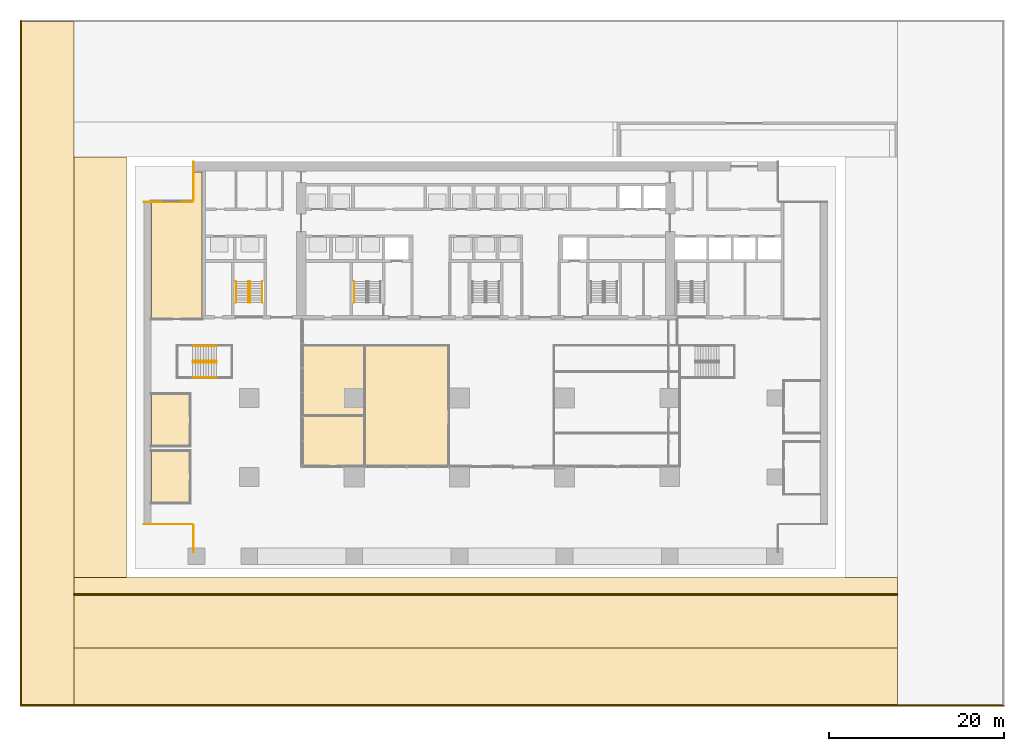
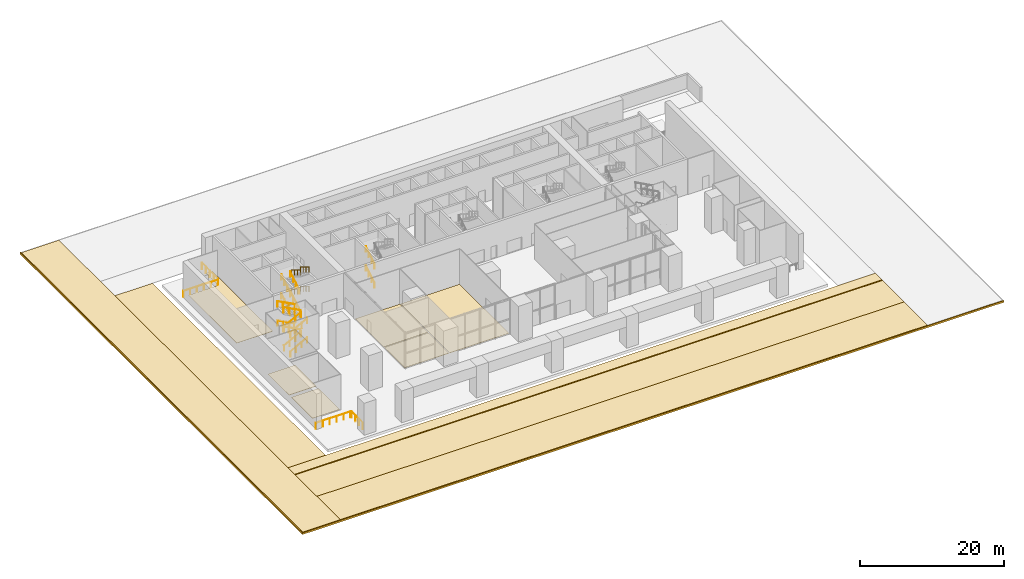
# One storey, part 13 of 16: 22 railings, 14 coverings, 3 elements without a shape of their own.
"""IFC4 building model written with IfcOpenShell, lengths in metres."""

from ifc_helpers import new_model, si_unit, direction, frame, origin, origin_2d, place, context, subcontext, project, spatial, polyline, circle, outline, extrude, material, layer, layer_set, type_object, element, aggregate, save


model = new_model("IFC4")

# Units and contexts
model_context = context("Model", 3, precision=1e-05, world=origin(), true_north=direction((0.0, 1.0)))
body_context = subcontext(model_context, "Body", "Model", "MODEL_VIEW")
ifc_project = project(units=[si_unit("LENGTHUNIT", "METRE"), si_unit("AREAUNIT", "SQUARE_METRE"), si_unit("VOLUMEUNIT", "CUBIC_METRE"), si_unit("PLANEANGLEUNIT", "RADIAN"), si_unit("MASSUNIT", "GRAM", prefix="KILO")], contexts=[model_context])

# Site, building, storey
site_placement = place(None, origin())
site = spatial("IfcSite", under=ifc_project, at=site_placement, CompositionType="ELEMENT")
building_placement = place(site_placement, origin())
building = spatial("IfcBuilding", under=site, at=building_placement, Name="Calvaro Tower", CompositionType="ELEMENT")
storey_placement = place(building_placement, origin())
storey = spatial("IfcBuildingStorey", under=building, at=storey_placement, Name="L00", CompositionType="ELEMENT", Elevation=0.0)

# Coverings
ifc_material_1 = material(Name="Asphalt")
ifc_layer_1 = layer(ifc_material_1, 0.06005859375)
ifc_layer_set_1 = layer_set([ifc_layer_1], Name="Asphalt")
covering_type_1 = type_object("IfcCoveringType", Name="Coloured asphalt paving 60", PredefinedType="USERDEFINED", material=ifc_layer_set_1)
covering_1_placement = place(storey_placement, frame((0.0, 0.0, -0.06005859375)))
element("IfcCovering", 1, at=covering_1_placement, inside=storey, type_object=covering_type_1, Name="Cycle track paving", ObjectType="PAVING", PredefinedType="USERDEFINED", context=body_context, shape_type="SweptSolid", body=[
    extrude(outline(polyline([(-8.0, -3.35009765625), (86.0, -3.35009765625), (86.0, -1.5), (-8.0, -1.5), (-8.0, -3.35009765625)])), origin(), (0.0, 0.0, 1.0), 0.06005859375),
])
ifc_material_2 = material(Name="Cement screed with carpet tile finish")
ifc_layer_2 = layer(ifc_material_2, 0.050048828125)
ifc_layer_set_2 = layer_set([ifc_layer_2], Name="Cement screed with carpet tile finish")
covering_type_2 = type_object("IfcCoveringType", Name="Floor finish 50", PredefinedType="FLOORING", material=ifc_layer_set_2)
covering_2_placement = place(storey_placement, origin())
element("IfcCovering", 2, at=covering_2_placement, inside=storey, type_object=covering_type_2, Name="Floor finish 03.04", PredefinedType="FLOORING", context=body_context, shape_type="SweptSolid", body=[
    extrude(outline(polyline([(5.22998046875, 12.929931640625), (5.22998046875, 7.070068359375), (0.8701171875, 7.070068359375), (0.8701171875, 12.929931640625), (5.22998046875, 12.929931640625)])), origin(), (0.0, 0.0, 1.0), 0.050048828125),
])
covering_3_placement = place(storey_placement, origin())
element("IfcCovering", 3, at=covering_3_placement, inside=storey, type_object=covering_type_2, Name="Floor finish 03.08", PredefinedType="FLOORING", context=body_context, shape_type="SweptSolid", body=[
    extrude(outline(polyline([(5.22998046875, 19.429931640625), (5.22998046875, 13.570068359375), (0.8701171875, 13.570068359375), (0.8701171875, 19.429931640625), (5.22998046875, 19.429931640625)])), origin(), (0.0, 0.0, 1.0), 0.050048828125),
])
covering_4_placement = place(storey_placement, origin())
element("IfcCovering", 4, at=covering_4_placement, inside=storey, type_object=covering_type_2, Name="Floor finish 03.10", PredefinedType="FLOORING", context=body_context, shape_type="SweptSolid", body=[
    extrude(outline(polyline([(25.27001953125, 11.27001953125), (25.27001953125, 24.929931640625), (34.72998046875, 24.929931640625), (34.72998046875, 11.27001953125), (25.27001953125, 11.27001953125)])), origin(), (0.0, 0.0, 1.0), 0.050048828125),
])
covering_5_placement = place(storey_placement, origin())
element("IfcCovering", 5, at=covering_5_placement, inside=storey, type_object=covering_type_2, Name="Floor finish 03.07", PredefinedType="FLOORING", context=body_context, shape_type="SweptSolid", body=[
    extrude(outline(polyline([(18.070068359375, 11.27001953125), (18.070068359375, 16.929931640625), (25.1298828125, 16.929931640625), (25.1298828125, 11.27001953125), (18.070068359375, 11.27001953125)])), origin(), (0.0, 0.0, 1.0), 0.050048828125),
])
covering_6_placement = place(storey_placement, origin())
element("IfcCovering", 6, at=covering_6_placement, inside=storey, type_object=covering_type_2, Name="Floor finish 03.12", PredefinedType="FLOORING", context=body_context, shape_type="SweptSolid", body=[
    extrude(outline(polyline([(18.070068359375, 17.070068359375), (18.070068359375, 24.929931640625), (25.1298828125, 24.929931640625), (25.1298828125, 17.070068359375), (18.070068359375, 17.070068359375)])), origin(), (0.0, 0.0, 1.0), 0.050048828125),
])
covering_7_placement = place(storey_placement, origin())
element("IfcCovering", 7, at=covering_7_placement, inside=storey, type_object=covering_type_2, Name="Floor finish 03.17", PredefinedType="FLOORING", context=body_context, shape_type="SweptSolid", body=[
    extrude(outline(polyline([(6.6298828125, 28.070068359375), (0.8701171875, 28.070068359375), (0.8701171875, 41.429931640625), (5.6201171875, 41.429931640625), (5.6201171875, 44.830078125), (6.6298828125, 44.830078125), (6.6298828125, 28.070068359375)])), origin(), (0.0, 0.0, 1.0), 0.050048828125),
])
ifc_material_3 = material(Name="Granite", Category="masonry")
ifc_layer_3 = layer(ifc_material_3, 0.300048828125)
ifc_layer_set_3 = layer_set([ifc_layer_3], Name="Granite")
covering_type_3 = type_object("IfcCoveringType", Name="Granite edge course 150", PredefinedType="USERDEFINED", material=ifc_layer_set_3)
covering_8_placement = place(storey_placement, frame((0.0, 0.0, -0.300048828125)))
element("IfcCovering", 8, at=covering_8_placement, inside=storey, type_object=covering_type_3, Name="Granite edge course", ObjectType="PAVING", PredefinedType="USERDEFINED", context=body_context, shape_type="SweptSolid", body=[
    extrude(outline(polyline([(-14.14990234375, -16.14990234375), (98.14990234375, -16.14990234375), (98.14990234375, -16.0), (-14.14990234375, -16.0), (-14.14990234375, -16.14990234375)])), origin(), (0.0, 0.0, 1.0), 0.300048828125),
])
covering_9_placement = place(storey_placement, frame((0.0, 0.0, -0.300048828125)))
element("IfcCovering", 9, at=covering_9_placement, inside=storey, type_object=covering_type_3, Name="Granite edge course", ObjectType="PAVING", PredefinedType="USERDEFINED", context=body_context, shape_type="SweptSolid", body=[
    extrude(outline(polyline([(-14.14990234375, -16.0), (-14.0, -16.0), (-14.0, 62.14990234375), (-14.14990234375, 62.14990234375), (-14.14990234375, -16.0)])), origin(), (0.0, 0.0, 1.0), 0.300048828125),
])
covering_10_placement = place(storey_placement, frame((0.0, 0.0, -0.300048828125)))
element("IfcCovering", 10, at=covering_10_placement, inside=storey, type_object=covering_type_3, Name="Granite edge course", ObjectType="PAVING", PredefinedType="USERDEFINED", context=body_context, shape_type="SweptSolid", body=[
    extrude(outline(polyline([(-8.0, -3.5), (86.0, -3.5), (86.0, -3.35009765625), (-8.0, -3.35009765625), (-8.0, -3.5)])), origin(), (0.0, 0.0, 1.0), 0.300048828125),
])
ifc_material_4 = material(Name="Granite", Category="masonry")
ifc_layer_4 = layer(ifc_material_4, 0.14990234375)
ifc_layer_set_4 = layer_set([ifc_layer_4], Name="Granite")
covering_type_4 = type_object("IfcCoveringType", Name="Granite setts paving 150", PredefinedType="USERDEFINED", material=ifc_layer_set_4)
covering_11_placement = place(storey_placement, frame((0.0, 0.0, -0.14990234375)))
element("IfcCovering", 11, at=covering_11_placement, inside=storey, type_object=covering_type_4, Name="Forecourt paving", ObjectType="PAVING", PredefinedType="USERDEFINED", context=body_context, shape_type="SweptSolid", body=[
    extrude(outline(polyline([(-8.0, -9.5), (86.0, -9.5), (86.0, -3.5), (-8.0, -3.5), (-8.0, -9.5)])), origin(), (0.0, 0.0, 1.0), 0.14990234375),
])
covering_12_placement = place(storey_placement, frame((0.0, 0.0, -0.14990234375)))
element("IfcCovering", 12, at=covering_12_placement, inside=storey, type_object=covering_type_4, Name="Forecourt apron paving", ObjectType="PAVING", PredefinedType="USERDEFINED", context=body_context, shape_type="SweptSolid", body=[
    extrude(outline(polyline([(-8.0, -16.0), (86.0, -16.0), (86.0, -9.5), (-8.0, -9.5), (-8.0, -16.0)])), origin(), (0.0, 0.0, 1.0), 0.14990234375),
])

# Railings
ifc_material_5 = material(Name="Stainless steel", Category="steel")
railing_type_1 = type_object("IfcRailingType", Name="Guard 1100", PredefinedType="GUARDRAIL", material=ifc_material_5)
railing_1_placement = place(storey_placement, frame((5.64990234375, 1.39990234375, 0.0)))
element("IfcRailing", 13, at=railing_1_placement, inside=storey, type_object=railing_type_1, Name="Edge guard", PredefinedType="GUARDRAIL", context=body_context, shape_type="SweptSolid", body=[
    extrude(circle(Radius=0.02392578125, at=origin_2d()), frame((0.0, 0.0, 1.076171875), z_axis=(0.0, 1.0, 0.0), x_axis=(-1.0, 0.0, 0.0)), (0.0, 0.0, 1.0), 3.10009765625),
    extrude(circle(Radius=0.02099609375, at=origin_2d()), frame((0.0, 0.02099609375, 0.0)), (0.0, 0.0, 1.0), 1.052001953125),
    extrude(circle(Radius=0.02099609375, at=origin_2d()), frame((0.0, 1.033447265625, 0.0)), (0.0, 0.0, 1.0), 1.052001953125),
    extrude(circle(Radius=0.02099609375, at=origin_2d()), frame((0.0, 2.066650390625, 0.0)), (0.0, 0.0, 1.0), 1.052001953125),
    extrude(circle(Radius=0.02099609375, at=origin_2d()), frame((0.0, 3.0791015625, 0.0)), (0.0, 0.0, 1.0), 1.052001953125),
])
railing_2_placement = place(storey_placement, frame((5.550048828125, 4.60009765625, 0.0)))
element("IfcRailing", 14, at=railing_2_placement, inside=storey, type_object=railing_type_1, Name="Edge guard", PredefinedType="GUARDRAIL", context=body_context, shape_type="SweptSolid", body=[
    extrude(circle(Radius=0.02392578125, at=origin_2d()), frame((0.0, 0.0, 1.076171875), z_axis=(-1.0, 0.0, 0.0), x_axis=(0.0, -1.0, 0.0)), (0.0, 0.0, 1.0), 5.550048828125),
    extrude(circle(Radius=0.02099609375, at=origin_2d()), frame((-0.02099609375, 0.0, 0.0)), (0.0, 0.0, 1.0), 1.052001953125),
    extrude(circle(Radius=0.02099609375, at=origin_2d()), frame((-1.110107421875, 0.0, 0.0)), (0.0, 0.0, 1.0), 1.052001953125),
    extrude(circle(Radius=0.02099609375, at=origin_2d()), frame((-2.219970703125, 0.0, 0.0)), (0.0, 0.0, 1.0), 1.052001953125),
    extrude(circle(Radius=0.02099609375, at=origin_2d()), frame((-3.330078125, 0.0, 0.0)), (0.0, 0.0, 1.0), 1.052001953125),
    extrude(circle(Radius=0.02099609375, at=origin_2d()), frame((-4.43994140625, 0.0, 0.0)), (0.0, 0.0, 1.0), 1.052001953125),
    extrude(circle(Radius=0.02099609375, at=origin_2d()), frame((-5.529052734375, 0.0, 0.0)), (0.0, 0.0, 1.0), 1.052001953125),
])
railing_3_placement = place(storey_placement, frame((0.0, 41.39990234375, 0.0)))
element("IfcRailing", 15, at=railing_3_placement, inside=storey, type_object=railing_type_1, Name="Edge guard", PredefinedType="GUARDRAIL", context=body_context, shape_type="SweptSolid", body=[
    extrude(circle(Radius=0.02392578125, at=origin_2d()), frame((0.0, 0.0, 1.076171875), z_axis=(1.0, 0.0, 0.0), x_axis=(0.0, 1.0, 0.0)), (0.0, 0.0, 1.0), 5.550048828125),
    extrude(circle(Radius=0.02099609375, at=origin_2d()), frame((0.02099609375, 0.0, 0.0)), (0.0, 0.0, 1.0), 1.052001953125),
    extrude(circle(Radius=0.02099609375, at=origin_2d()), frame((1.110107421875, 0.0, 0.0)), (0.0, 0.0, 1.0), 1.052001953125),
    extrude(circle(Radius=0.02099609375, at=origin_2d()), frame((2.219970703125, 0.0, 0.0)), (0.0, 0.0, 1.0), 1.052001953125),
    extrude(circle(Radius=0.02099609375, at=origin_2d()), frame((3.330078125, 0.0, 0.0)), (0.0, 0.0, 1.0), 1.052001953125),
    extrude(circle(Radius=0.02099609375, at=origin_2d()), frame((4.43994140625, 0.0, 0.0)), (0.0, 0.0, 1.0), 1.052001953125),
    extrude(circle(Radius=0.02099609375, at=origin_2d()), frame((5.529052734375, 0.0, 0.0)), (0.0, 0.0, 1.0), 1.052001953125),
])
railing_4_placement = place(storey_placement, frame((5.64990234375, 41.5, 0.0)))
element("IfcRailing", 16, at=railing_4_placement, inside=storey, type_object=railing_type_1, Name="Edge guard", PredefinedType="GUARDRAIL", context=body_context, shape_type="SweptSolid", body=[
    extrude(circle(Radius=0.02392578125, at=origin_2d()), frame((0.0, 0.0, 1.076171875), z_axis=(0.0, 1.0, 0.0), x_axis=(-1.0, 0.0, 0.0)), (0.0, 0.0, 1.0), 4.5),
    extrude(circle(Radius=0.02099609375, at=origin_2d()), frame((0.0, 0.02099609375, 0.0)), (0.0, 0.0, 1.0), 1.052001953125),
    extrude(circle(Radius=0.02099609375, at=origin_2d()), frame((0.0, 1.125, 0.0)), (0.0, 0.0, 1.0), 1.052001953125),
    extrude(circle(Radius=0.02099609375, at=origin_2d()), frame((0.0, 2.25, 0.0)), (0.0, 0.0, 1.0), 1.052001953125),
    extrude(circle(Radius=0.02099609375, at=origin_2d()), frame((0.0, 3.375, 0.0)), (0.0, 0.0, 1.0), 1.052001953125),
    extrude(circle(Radius=0.02099609375, at=origin_2d()), frame((0.0, 4.47900390625, 0.0)), (0.0, 0.0, 1.0), 1.052001953125),
])

# Coverings
ifc_material_6 = material(Name="Concrete C40/50 precast", Category="concrete")
ifc_layer_5 = layer(ifc_material_6, 0.10009765625)
ifc_layer_set_5 = layer_set([ifc_layer_5], Name="Concrete C40/50 precast")
covering_type_5 = type_object("IfcCoveringType", Name="Precast concrete flag paving 100", PredefinedType="USERDEFINED", material=ifc_layer_set_5)
covering_13_placement = place(storey_placement, frame((0.0, 0.0, -0.10009765625)))
element("IfcCovering", 17, at=covering_13_placement, inside=storey, type_object=covering_type_5, Name="West lane paving", ObjectType="PAVING", PredefinedType="USERDEFINED", context=body_context, shape_type="SweptSolid", body=[
    extrude(outline(polyline([(-8.0, -1.5), (-2.0, -1.5), (-2.0, 46.5), (-8.0, 46.5), (-8.0, -1.5)])), origin(), (0.0, 0.0, 1.0), 0.10009765625),
])
covering_14_placement = place(storey_placement, frame((0.0, 0.0, -0.10009765625)))
element("IfcCovering", 18, at=covering_14_placement, inside=storey, type_object=covering_type_5, Name="West apron paving", ObjectType="PAVING", PredefinedType="USERDEFINED", context=body_context, shape_type="SweptSolid", body=[
    extrude(outline(polyline([(-14.0, -16.0), (-8.0, -16.0), (-8.0, 62.0), (-14.0, 62.0), (-14.0, -16.0)])), origin(), (0.0, 0.0, 1.0), 0.10009765625),
])

# Stair, railings
ifc_material_7 = material(Name="Concrete C40/50", Category="concrete")
stair_type_1 = type_object("IfcStairType", Name="Exit stair 1400 4 flights", PredefinedType="DOUBLE_RETURN_STAIR", material=ifc_material_7)
stair_1_placement = place(storey_placement, origin())
stair_1 = element("IfcStair", 19, at=stair_1_placement, inside=storey, type_object=stair_type_1, Name="Exit stair S1", PredefinedType="DOUBLE_RETURN_STAIR")
ifc_material_8 = material(Name="Stainless steel", Category="steel")
railing_type_2 = type_object("IfcRailingType", Name="Stair handrail", PredefinedType="HANDRAIL", material=ifc_material_8)
railing_5_placement = place(storey_placement, frame((11.89990234375, 29.89990234375, 0.16259765625)))
railing_5 = element("IfcRailing", 20, at=railing_5_placement, type_object=railing_type_2, Name="Exit stair 1 handrail", PredefinedType="HANDRAIL", context=body_context, shape_type="SweptSolid", body=[
    extrude(circle(Radius=0.02392578125, at=origin_2d()), frame((0.0, 0.0, 0.8759765625), z_axis=(0.0, 0.856823829133, 0.515609276322), x_axis=(-1.0, 0.0, 0.0)), (0.0, 0.0, 1.0), 2.836181640625),
    extrude(circle(Radius=0.02099609375, at=origin_2d()), frame((0.0, 0.01806640625, 0.0107421875)), (0.0, 0.0, 1.0), 0.851806640625),
    extrude(circle(Radius=0.02099609375, at=origin_2d()), frame((0.0, 0.81005859375, 0.487548828125)), (0.0, 0.0, 1.0), 0.851806640625),
    extrude(circle(Radius=0.02099609375, at=origin_2d()), frame((0.0, 1.6201171875, 0.974853515625)), (0.0, 0.0, 1.0), 0.851806640625),
    extrude(circle(Radius=0.02099609375, at=origin_2d()), frame((0.0, 2.412109375, 1.45166015625)), (0.0, 0.0, 1.0), 0.851806640625),
])
railing_6_placement = place(storey_placement, frame((10.5, 29.89990234375, 0.16259765625)))
railing_6 = element("IfcRailing", 21, at=railing_6_placement, type_object=railing_type_2, Name="Exit stair 1 handrail", PredefinedType="HANDRAIL", context=body_context, shape_type="SweptSolid", body=[
    extrude(circle(Radius=0.02392578125, at=origin_2d()), frame((0.0, 0.0, 0.8759765625), z_axis=(0.0, 0.856823829133, 0.515609276322), x_axis=(-1.0, 0.0, 0.0)), (0.0, 0.0, 1.0), 2.836181640625),
    extrude(circle(Radius=0.02099609375, at=origin_2d()), frame((0.0, 0.01806640625, 0.0107421875)), (0.0, 0.0, 1.0), 0.851806640625),
    extrude(circle(Radius=0.02099609375, at=origin_2d()), frame((0.0, 0.81005859375, 0.487548828125)), (0.0, 0.0, 1.0), 0.851806640625),
    extrude(circle(Radius=0.02099609375, at=origin_2d()), frame((0.0, 1.6201171875, 0.974853515625)), (0.0, 0.0, 1.0), 0.851806640625),
    extrude(circle(Radius=0.02099609375, at=origin_2d()), frame((0.0, 2.412109375, 1.45166015625)), (0.0, 0.0, 1.0), 0.851806640625),
])
railing_7_placement = place(storey_placement, frame((12.10009765625, 32.330078125, 1.78759765625)))
railing_7 = element("IfcRailing", 22, at=railing_7_placement, type_object=railing_type_2, Name="Exit stair 1 handrail", PredefinedType="HANDRAIL", context=body_context, shape_type="SweptSolid", body=[
    extrude(circle(Radius=0.02392578125, at=origin_2d()), frame((0.0, 0.0, 0.8759765625), z_axis=(0.0, -0.856823829133, 0.515609276322), x_axis=(1.0, 0.0, 0.0)), (0.0, 0.0, 1.0), 2.836181640625),
    extrude(circle(Radius=0.02099609375, at=origin_2d()), frame((0.0, -0.01806640625, 0.0107421875)), (0.0, 0.0, 1.0), 0.851806640625),
    extrude(circle(Radius=0.02099609375, at=origin_2d()), frame((0.0, -0.81005859375, 0.487548828125)), (0.0, 0.0, 1.0), 0.851806640625),
    extrude(circle(Radius=0.02099609375, at=origin_2d()), frame((0.0, -1.6201171875, 0.974853515625)), (0.0, 0.0, 1.0), 0.851806640625),
    extrude(circle(Radius=0.02099609375, at=origin_2d()), frame((0.0, -2.412109375, 1.45166015625)), (0.0, 0.0, 1.0), 0.851806640625),
])
railing_8_placement = place(storey_placement, frame((13.5, 32.330078125, 1.78759765625)))
railing_8 = element("IfcRailing", 23, at=railing_8_placement, type_object=railing_type_2, Name="Exit stair 1 handrail", PredefinedType="HANDRAIL", context=body_context, shape_type="SweptSolid", body=[
    extrude(circle(Radius=0.02392578125, at=origin_2d()), frame((0.0, 0.0, 0.8759765625), z_axis=(0.0, -0.856823829133, 0.515609276322), x_axis=(1.0, 0.0, 0.0)), (0.0, 0.0, 1.0), 2.836181640625),
    extrude(circle(Radius=0.02099609375, at=origin_2d()), frame((0.0, -0.01806640625, 0.0107421875)), (0.0, 0.0, 1.0), 0.851806640625),
    extrude(circle(Radius=0.02099609375, at=origin_2d()), frame((0.0, -0.81005859375, 0.487548828125)), (0.0, 0.0, 1.0), 0.851806640625),
    extrude(circle(Radius=0.02099609375, at=origin_2d()), frame((0.0, -1.6201171875, 0.974853515625)), (0.0, 0.0, 1.0), 0.851806640625),
    extrude(circle(Radius=0.02099609375, at=origin_2d()), frame((0.0, -2.412109375, 1.45166015625)), (0.0, 0.0, 1.0), 0.851806640625),
])
railing_9_placement = place(storey_placement, frame((11.89990234375, 29.89990234375, 3.41259765625)))
railing_9 = element("IfcRailing", 24, at=railing_9_placement, type_object=railing_type_2, Name="Exit stair 1 handrail", PredefinedType="HANDRAIL", context=body_context, shape_type="SweptSolid", body=[
    extrude(circle(Radius=0.02392578125, at=origin_2d()), frame((0.0, 0.0, 0.8759765625), z_axis=(0.0, 0.856823829133, 0.515609276322), x_axis=(-1.0, 0.0, 0.0)), (0.0, 0.0, 1.0), 2.836181640625),
    extrude(circle(Radius=0.02099609375, at=origin_2d()), frame((0.0, 0.01806640625, 0.0107421875)), (0.0, 0.0, 1.0), 0.851806640625),
    extrude(circle(Radius=0.02099609375, at=origin_2d()), frame((0.0, 0.81005859375, 0.487548828125)), (0.0, 0.0, 1.0), 0.851806640625),
    extrude(circle(Radius=0.02099609375, at=origin_2d()), frame((0.0, 1.6201171875, 0.974853515625)), (0.0, 0.0, 1.0), 0.851806640625),
    extrude(circle(Radius=0.02099609375, at=origin_2d()), frame((0.0, 2.412109375, 1.45166015625)), (0.0, 0.0, 1.0), 0.851806640625),
])
railing_10_placement = place(storey_placement, frame((10.5, 29.89990234375, 3.41259765625)))
railing_10 = element("IfcRailing", 25, at=railing_10_placement, type_object=railing_type_2, Name="Exit stair 1 handrail", PredefinedType="HANDRAIL", context=body_context, shape_type="SweptSolid", body=[
    extrude(circle(Radius=0.02392578125, at=origin_2d()), frame((0.0, 0.0, 0.8759765625), z_axis=(0.0, 0.856823829133, 0.515609276322), x_axis=(-1.0, 0.0, 0.0)), (0.0, 0.0, 1.0), 2.836181640625),
    extrude(circle(Radius=0.02099609375, at=origin_2d()), frame((0.0, 0.01806640625, 0.0107421875)), (0.0, 0.0, 1.0), 0.851806640625),
    extrude(circle(Radius=0.02099609375, at=origin_2d()), frame((0.0, 0.81005859375, 0.487548828125)), (0.0, 0.0, 1.0), 0.851806640625),
    extrude(circle(Radius=0.02099609375, at=origin_2d()), frame((0.0, 1.6201171875, 0.974853515625)), (0.0, 0.0, 1.0), 0.851806640625),
    extrude(circle(Radius=0.02099609375, at=origin_2d()), frame((0.0, 2.412109375, 1.45166015625)), (0.0, 0.0, 1.0), 0.851806640625),
])
railing_11_placement = place(storey_placement, frame((12.10009765625, 32.330078125, 5.03759765625)))
railing_11 = element("IfcRailing", 26, at=railing_11_placement, type_object=railing_type_2, Name="Exit stair 1 handrail", PredefinedType="HANDRAIL", context=body_context, shape_type="SweptSolid", body=[
    extrude(circle(Radius=0.02392578125, at=origin_2d()), frame((0.0, 0.0, 0.8759765625), z_axis=(0.0, -0.856823829133, 0.515609276322), x_axis=(1.0, 0.0, 0.0)), (0.0, 0.0, 1.0), 2.836181640625),
    extrude(circle(Radius=0.02099609375, at=origin_2d()), frame((0.0, -0.01806640625, 0.0107421875)), (0.0, 0.0, 1.0), 0.851806640625),
    extrude(circle(Radius=0.02099609375, at=origin_2d()), frame((0.0, -0.81005859375, 0.487548828125)), (0.0, 0.0, 1.0), 0.851806640625),
    extrude(circle(Radius=0.02099609375, at=origin_2d()), frame((0.0, -1.6201171875, 0.974853515625)), (0.0, 0.0, 1.0), 0.851806640625),
    extrude(circle(Radius=0.02099609375, at=origin_2d()), frame((0.0, -2.412109375, 1.45166015625)), (0.0, 0.0, 1.0), 0.851806640625),
])
railing_12_placement = place(storey_placement, frame((13.5, 32.330078125, 5.03759765625)))
railing_12 = element("IfcRailing", 27, at=railing_12_placement, type_object=railing_type_2, Name="Exit stair 1 handrail", PredefinedType="HANDRAIL", context=body_context, shape_type="SweptSolid", body=[
    extrude(circle(Radius=0.02392578125, at=origin_2d()), frame((0.0, 0.0, 0.8759765625), z_axis=(0.0, -0.856823829133, 0.515609276322), x_axis=(1.0, 0.0, 0.0)), (0.0, 0.0, 1.0), 2.836181640625),
    extrude(circle(Radius=0.02099609375, at=origin_2d()), frame((0.0, -0.01806640625, 0.0107421875)), (0.0, 0.0, 1.0), 0.851806640625),
    extrude(circle(Radius=0.02099609375, at=origin_2d()), frame((0.0, -0.81005859375, 0.487548828125)), (0.0, 0.0, 1.0), 0.851806640625),
    extrude(circle(Radius=0.02099609375, at=origin_2d()), frame((0.0, -1.6201171875, 0.974853515625)), (0.0, 0.0, 1.0), 0.851806640625),
    extrude(circle(Radius=0.02099609375, at=origin_2d()), frame((0.0, -2.412109375, 1.45166015625)), (0.0, 0.0, 1.0), 0.851806640625),
])
aggregate(stair_1, [railing_5, railing_6, railing_7, railing_8, railing_9, railing_10, railing_11, railing_12])

stair_2_placement = place(storey_placement, origin())
stair_2 = element("IfcStair", 28, at=stair_2_placement, inside=storey, type_object=stair_type_1, Name="Exit stair S2", PredefinedType="DOUBLE_RETURN_STAIR")
railing_13_placement = place(storey_placement, frame((24.0, 29.89990234375, 0.16259765625)))
railing_13 = element("IfcRailing", 29, at=railing_13_placement, type_object=railing_type_2, Name="Exit stair 2 handrail", PredefinedType="HANDRAIL", context=body_context, shape_type="SweptSolid", body=[
    extrude(circle(Radius=0.02392578125, at=origin_2d()), frame((0.0, 0.0, 0.8759765625), z_axis=(0.0, 0.856823829133, 0.515609276322), x_axis=(-1.0, 0.0, 0.0)), (0.0, 0.0, 1.0), 2.836181640625),
    extrude(circle(Radius=0.02099609375, at=origin_2d()), frame((0.0, 0.01806640625, 0.0107421875)), (0.0, 0.0, 1.0), 0.851806640625),
    extrude(circle(Radius=0.02099609375, at=origin_2d()), frame((0.0, 0.81005859375, 0.487548828125)), (0.0, 0.0, 1.0), 0.851806640625),
    extrude(circle(Radius=0.02099609375, at=origin_2d()), frame((0.0, 1.6201171875, 0.974853515625)), (0.0, 0.0, 1.0), 0.851806640625),
    extrude(circle(Radius=0.02099609375, at=origin_2d()), frame((0.0, 2.412109375, 1.45166015625)), (0.0, 0.0, 1.0), 0.851806640625),
])
railing_14_placement = place(storey_placement, frame((24.0, 29.89990234375, 3.41259765625)))
railing_14 = element("IfcRailing", 30, at=railing_14_placement, type_object=railing_type_2, Name="Exit stair 2 handrail", PredefinedType="HANDRAIL", context=body_context, shape_type="SweptSolid", body=[
    extrude(circle(Radius=0.02392578125, at=origin_2d()), frame((0.0, 0.0, 0.8759765625), z_axis=(0.0, 0.856823829133, 0.515609276322), x_axis=(-1.0, 0.0, 0.0)), (0.0, 0.0, 1.0), 2.836181640625),
    extrude(circle(Radius=0.02099609375, at=origin_2d()), frame((0.0, 0.01806640625, 0.0107421875)), (0.0, 0.0, 1.0), 0.851806640625),
    extrude(circle(Radius=0.02099609375, at=origin_2d()), frame((0.0, 0.81005859375, 0.487548828125)), (0.0, 0.0, 1.0), 0.851806640625),
    extrude(circle(Radius=0.02099609375, at=origin_2d()), frame((0.0, 1.6201171875, 0.974853515625)), (0.0, 0.0, 1.0), 0.851806640625),
    extrude(circle(Radius=0.02099609375, at=origin_2d()), frame((0.0, 2.412109375, 1.45166015625)), (0.0, 0.0, 1.0), 0.851806640625),
])
aggregate(stair_2, [railing_13, railing_14])

ifc_material_9 = material(Name="Concrete C40/50", Category="concrete")
stair_type_2 = type_object("IfcStairType", Name="Exit stair 1700 4 flights", PredefinedType="DOUBLE_RETURN_STAIR", material=ifc_material_9)
stair_3_placement = place(storey_placement, origin())
stair_3 = element("IfcStair", 31, at=stair_3_placement, inside=storey, type_object=stair_type_2, Name="Exit stair 6", PredefinedType="DOUBLE_RETURN_STAIR")
railing_15_placement = place(storey_placement, frame((5.550048828125, 23.050048828125, 0.16259765625)))
railing_15 = element("IfcRailing", 32, at=railing_15_placement, type_object=railing_type_2, Name="Exit stair 6 handrail", PredefinedType="HANDRAIL", context=body_context, shape_type="SweptSolid", body=[
    extrude(circle(Radius=0.02392578125, at=origin_2d()), frame((0.0, 0.0, 0.8759765625), z_axis=(0.88255711678, 0.0, 0.470205205863), x_axis=(0.0, 1.0, 0.0)), (0.0, 0.0, 1.0), 3.110107421875),
    extrude(circle(Radius=0.02099609375, at=origin_2d()), frame((0.0185546875, 0.0, 0.009765625)), (0.0, 0.0, 1.0), 0.851806640625),
    extrude(circle(Radius=0.02099609375, at=origin_2d()), frame((0.9150390625, 0.0, 0.487548828125)), (0.0, 0.0, 1.0), 0.851806640625),
    extrude(circle(Radius=0.02099609375, at=origin_2d()), frame((1.829833984375, 0.0, 0.974853515625)), (0.0, 0.0, 1.0), 0.851806640625),
    extrude(circle(Radius=0.02099609375, at=origin_2d()), frame((2.726318359375, 0.0, 1.45263671875)), (0.0, 0.0, 1.0), 0.851806640625),
])
railing_16_placement = place(storey_placement, frame((5.550048828125, 21.35009765625, 0.16259765625)))
railing_16 = element("IfcRailing", 33, at=railing_16_placement, type_object=railing_type_2, Name="Exit stair 6 handrail", PredefinedType="HANDRAIL", context=body_context, shape_type="SweptSolid", body=[
    extrude(circle(Radius=0.02392578125, at=origin_2d()), frame((0.0, 0.0, 0.8759765625), z_axis=(0.88255711678, 0.0, 0.470205205863), x_axis=(0.0, 1.0, 0.0)), (0.0, 0.0, 1.0), 3.110107421875),
    extrude(circle(Radius=0.02099609375, at=origin_2d()), frame((0.0185546875, 0.0, 0.009765625)), (0.0, 0.0, 1.0), 0.851806640625),
    extrude(circle(Radius=0.02099609375, at=origin_2d()), frame((0.9150390625, 0.0, 0.487548828125)), (0.0, 0.0, 1.0), 0.851806640625),
    extrude(circle(Radius=0.02099609375, at=origin_2d()), frame((1.829833984375, 0.0, 0.974853515625)), (0.0, 0.0, 1.0), 0.851806640625),
    extrude(circle(Radius=0.02099609375, at=origin_2d()), frame((2.726318359375, 0.0, 1.45263671875)), (0.0, 0.0, 1.0), 0.851806640625),
])
railing_17_placement = place(storey_placement, frame((8.294921875, 23.25, 1.78759765625)))
railing_17 = element("IfcRailing", 34, at=railing_17_placement, type_object=railing_type_2, Name="Exit stair 6 handrail", PredefinedType="HANDRAIL", context=body_context, shape_type="SweptSolid", body=[
    extrude(circle(Radius=0.02392578125, at=origin_2d()), frame((0.0, 0.0, 0.8759765625), z_axis=(-0.88255711678, 0.0, 0.470205205863), x_axis=(0.0, -1.0, 0.0)), (0.0, 0.0, 1.0), 3.110107421875),
    extrude(circle(Radius=0.02099609375, at=origin_2d()), frame((-0.0185546875, 0.0, 0.009765625)), (0.0, 0.0, 1.0), 0.851806640625),
    extrude(circle(Radius=0.02099609375, at=origin_2d()), frame((-0.9150390625, 0.0, 0.487548828125)), (0.0, 0.0, 1.0), 0.851806640625),
    extrude(circle(Radius=0.02099609375, at=origin_2d()), frame((-1.829833984375, 0.0, 0.974853515625)), (0.0, 0.0, 1.0), 0.851806640625),
    extrude(circle(Radius=0.02099609375, at=origin_2d()), frame((-2.726318359375, 0.0, 1.45263671875)), (0.0, 0.0, 1.0), 0.851806640625),
])
railing_18_placement = place(storey_placement, frame((8.294921875, 24.949951171875, 1.78759765625)))
railing_18 = element("IfcRailing", 35, at=railing_18_placement, type_object=railing_type_2, Name="Exit stair 6 handrail", PredefinedType="HANDRAIL", context=body_context, shape_type="SweptSolid", body=[
    extrude(circle(Radius=0.02392578125, at=origin_2d()), frame((0.0, 0.0, 0.8759765625), z_axis=(-0.88255711678, 0.0, 0.470205205863), x_axis=(0.0, -1.0, 0.0)), (0.0, 0.0, 1.0), 3.110107421875),
    extrude(circle(Radius=0.02099609375, at=origin_2d()), frame((-0.0185546875, 0.0, 0.009765625)), (0.0, 0.0, 1.0), 0.851806640625),
    extrude(circle(Radius=0.02099609375, at=origin_2d()), frame((-0.9150390625, 0.0, 0.487548828125)), (0.0, 0.0, 1.0), 0.851806640625),
    extrude(circle(Radius=0.02099609375, at=origin_2d()), frame((-1.829833984375, 0.0, 0.974853515625)), (0.0, 0.0, 1.0), 0.851806640625),
    extrude(circle(Radius=0.02099609375, at=origin_2d()), frame((-2.726318359375, 0.0, 1.45263671875)), (0.0, 0.0, 1.0), 0.851806640625),
])
railing_19_placement = place(storey_placement, frame((5.550048828125, 23.050048828125, 3.41259765625)))
railing_19 = element("IfcRailing", 36, at=railing_19_placement, type_object=railing_type_2, Name="Exit stair 6 handrail", PredefinedType="HANDRAIL", context=body_context, shape_type="SweptSolid", body=[
    extrude(circle(Radius=0.02392578125, at=origin_2d()), frame((0.0, 0.0, 0.8759765625), z_axis=(0.88255711678, 0.0, 0.470205205863), x_axis=(0.0, 1.0, 0.0)), (0.0, 0.0, 1.0), 3.110107421875),
    extrude(circle(Radius=0.02099609375, at=origin_2d()), frame((0.0185546875, 0.0, 0.009765625)), (0.0, 0.0, 1.0), 0.851806640625),
    extrude(circle(Radius=0.02099609375, at=origin_2d()), frame((0.9150390625, 0.0, 0.487548828125)), (0.0, 0.0, 1.0), 0.851806640625),
    extrude(circle(Radius=0.02099609375, at=origin_2d()), frame((1.829833984375, 0.0, 0.974853515625)), (0.0, 0.0, 1.0), 0.851806640625),
    extrude(circle(Radius=0.02099609375, at=origin_2d()), frame((2.726318359375, 0.0, 1.45263671875)), (0.0, 0.0, 1.0), 0.851806640625),
])
railing_20_placement = place(storey_placement, frame((5.550048828125, 21.35009765625, 3.41259765625)))
railing_20 = element("IfcRailing", 37, at=railing_20_placement, type_object=railing_type_2, Name="Exit stair 6 handrail", PredefinedType="HANDRAIL", context=body_context, shape_type="SweptSolid", body=[
    extrude(circle(Radius=0.02392578125, at=origin_2d()), frame((0.0, 0.0, 0.8759765625), z_axis=(0.88255711678, 0.0, 0.470205205863), x_axis=(0.0, 1.0, 0.0)), (0.0, 0.0, 1.0), 3.110107421875),
    extrude(circle(Radius=0.02099609375, at=origin_2d()), frame((0.0185546875, 0.0, 0.009765625)), (0.0, 0.0, 1.0), 0.851806640625),
    extrude(circle(Radius=0.02099609375, at=origin_2d()), frame((0.9150390625, 0.0, 0.487548828125)), (0.0, 0.0, 1.0), 0.851806640625),
    extrude(circle(Radius=0.02099609375, at=origin_2d()), frame((1.829833984375, 0.0, 0.974853515625)), (0.0, 0.0, 1.0), 0.851806640625),
    extrude(circle(Radius=0.02099609375, at=origin_2d()), frame((2.726318359375, 0.0, 1.45263671875)), (0.0, 0.0, 1.0), 0.851806640625),
])
railing_21_placement = place(storey_placement, frame((8.294921875, 23.25, 5.03759765625)))
railing_21 = element("IfcRailing", 38, at=railing_21_placement, type_object=railing_type_2, Name="Exit stair 6 handrail", PredefinedType="HANDRAIL", context=body_context, shape_type="SweptSolid", body=[
    extrude(circle(Radius=0.02392578125, at=origin_2d()), frame((0.0, 0.0, 0.8759765625), z_axis=(-0.88255711678, 0.0, 0.470205205863), x_axis=(0.0, -1.0, 0.0)), (0.0, 0.0, 1.0), 3.110107421875),
    extrude(circle(Radius=0.02099609375, at=origin_2d()), frame((-0.0185546875, 0.0, 0.009765625)), (0.0, 0.0, 1.0), 0.851806640625),
    extrude(circle(Radius=0.02099609375, at=origin_2d()), frame((-0.9150390625, 0.0, 0.487548828125)), (0.0, 0.0, 1.0), 0.851806640625),
    extrude(circle(Radius=0.02099609375, at=origin_2d()), frame((-1.829833984375, 0.0, 0.974853515625)), (0.0, 0.0, 1.0), 0.851806640625),
    extrude(circle(Radius=0.02099609375, at=origin_2d()), frame((-2.726318359375, 0.0, 1.45263671875)), (0.0, 0.0, 1.0), 0.851806640625),
])
railing_22_placement = place(storey_placement, frame((8.294921875, 24.949951171875, 5.03759765625)))
railing_22 = element("IfcRailing", 39, at=railing_22_placement, type_object=railing_type_2, Name="Exit stair 6 handrail", PredefinedType="HANDRAIL", context=body_context, shape_type="SweptSolid", body=[
    extrude(circle(Radius=0.02392578125, at=origin_2d()), frame((0.0, 0.0, 0.8759765625), z_axis=(-0.88255711678, 0.0, 0.470205205863), x_axis=(0.0, -1.0, 0.0)), (0.0, 0.0, 1.0), 3.110107421875),
    extrude(circle(Radius=0.02099609375, at=origin_2d()), frame((-0.0185546875, 0.0, 0.009765625)), (0.0, 0.0, 1.0), 0.851806640625),
    extrude(circle(Radius=0.02099609375, at=origin_2d()), frame((-0.9150390625, 0.0, 0.487548828125)), (0.0, 0.0, 1.0), 0.851806640625),
    extrude(circle(Radius=0.02099609375, at=origin_2d()), frame((-1.829833984375, 0.0, 0.974853515625)), (0.0, 0.0, 1.0), 0.851806640625),
    extrude(circle(Radius=0.02099609375, at=origin_2d()), frame((-2.726318359375, 0.0, 1.45263671875)), (0.0, 0.0, 1.0), 0.851806640625),
])
aggregate(stair_3, [railing_15, railing_16, railing_17, railing_18, railing_19, railing_20, railing_21, railing_22])

save(model, "model.ifc")
